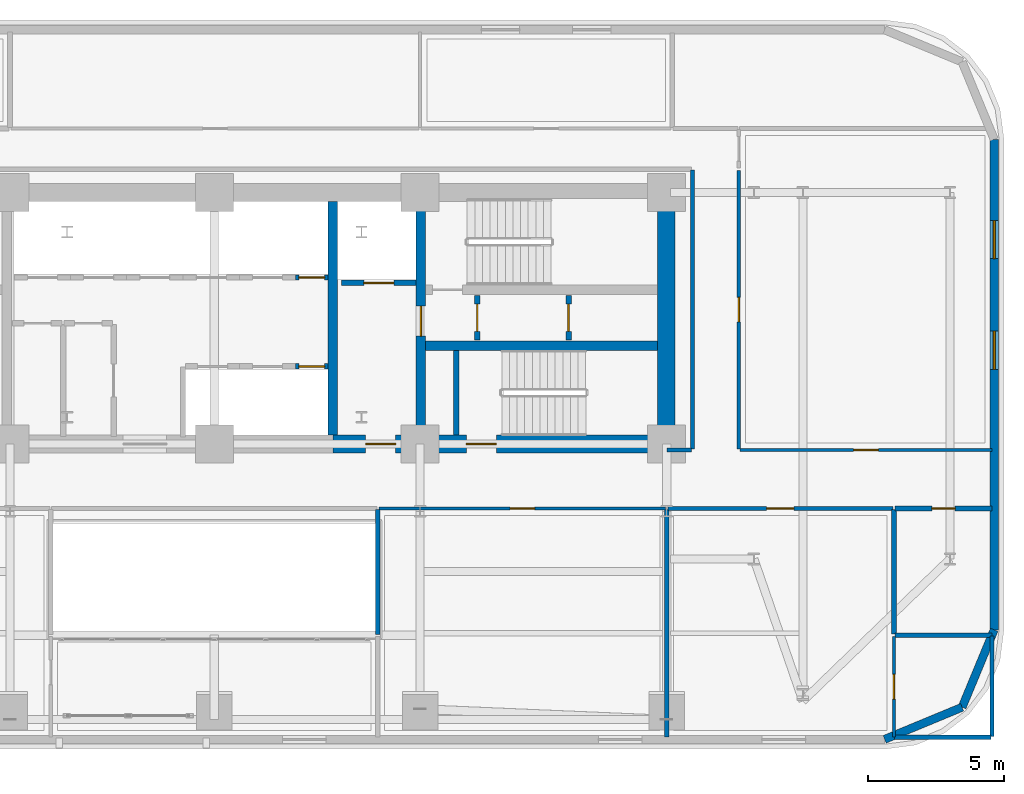
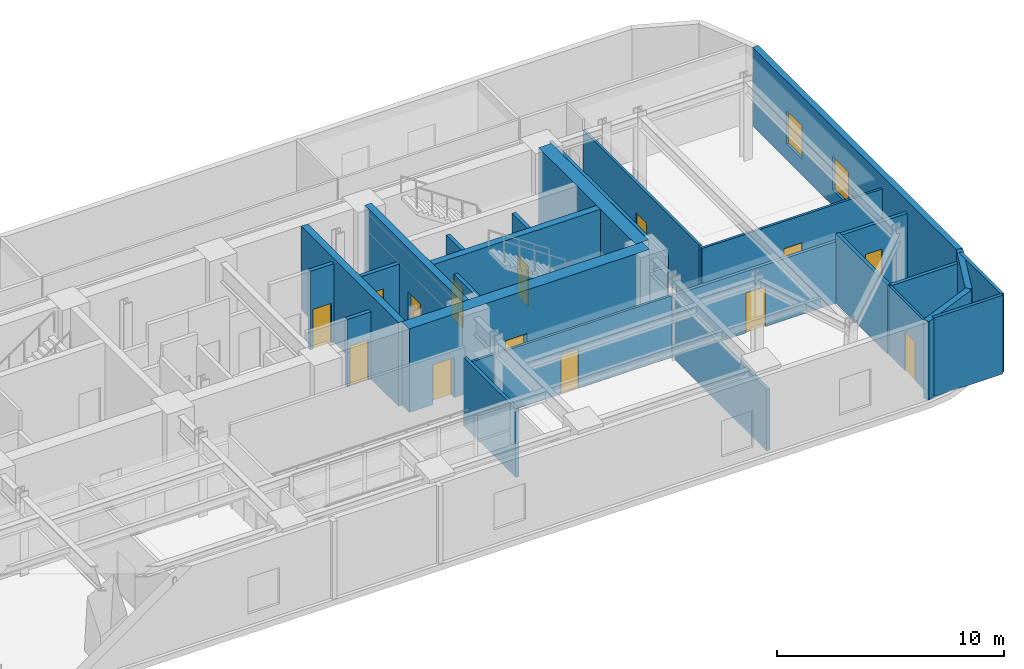
# One storey, part 10 of 14: 28 walls, 14 doors, 2 windows, 16 openings.
"""IFC4 building model written with IfcOpenShell, lengths in metres."""

from ifc_helpers import new_model, si_unit, direction, frame, frame_2d, origin, place, context, subcontext, project, spatial, rectangle, extrude, material, layer, layer_set, type_object, element, fill, save


model = new_model("IFC4")

# Units and contexts
model_context = context("Model", 3, precision=1e-05, world=origin(), true_north=direction((0.0, 1.0)))
body_context = subcontext(model_context, "Body", "Model", "MODEL_VIEW")
ifc_project = project(units=[si_unit("LENGTHUNIT", "METRE"), si_unit("AREAUNIT", "SQUARE_METRE"), si_unit("VOLUMEUNIT", "CUBIC_METRE"), si_unit("PLANEANGLEUNIT", "RADIAN"), si_unit("MASSUNIT", "GRAM", prefix="KILO")], contexts=[model_context])

# Site, building, storey
site_placement = place(None, origin())
site = spatial("IfcSite", under=ifc_project, at=site_placement, CompositionType="ELEMENT")
building_placement = place(site_placement, origin())
building = spatial("IfcBuilding", under=site, at=building_placement, Name="Zarnavel Station Tower", CompositionType="ELEMENT")
storey_placement = place(building_placement, frame((0.0, 0.0, 89.800048828125)))
storey = spatial("IfcBuildingStorey", under=building, at=storey_placement, Name="L24", CompositionType="ELEMENT", Elevation=89.800048828125)

# Wall
ifc_material_1 = material(Name="Concrete C50/60", Category="concrete")
ifc_layer_1 = layer(ifc_material_1, 0.35009765625)
ifc_layer_set_1 = layer_set([ifc_layer_1], Name="CW_350")
wall_type_1 = type_object("IfcWallType", Name="CW_350", PredefinedType="SHEAR", material=ifc_layer_set_1)
wall_1_placement = place(storey_placement, frame((33.14990234375, 28.14501953125, 0.0), z_axis=(0.0, 0.0, 1.0), x_axis=(0.0, 1.0, 0.0)))
element("IfcWall", 1, at=wall_1_placement, inside=storey, type_object=wall_type_1, Name="L24 Rear Core Shear Wall DIV-E", PredefinedType="SHEAR", context=body_context, shape_type="SweptSolid", body=[
    extrude(rectangle(XDim=8.580078125, YDim=0.35009765625, at=frame_2d((4.2900390625, 0.0))), origin(), (0.0, 0.0, 1.0), 4.5),
])

# Wall, opening, door
wall_2_placement = place(storey_placement, frame((36.3798828125, 28.14501953125, 0.0), z_axis=(0.0, 0.0, 1.0), x_axis=(0.0, 1.0, 0.0)))
wall_2 = element("IfcWall", 2, at=wall_2_placement, inside=storey, type_object=wall_type_1, Name="L24 Rear Core Shear Wall DIV-S2", PredefinedType="SHEAR", context=body_context, shape_type="SweptSolid", body=[
    extrude(rectangle(XDim=8.580078125, YDim=0.35009765625, at=frame_2d((4.2900390625, 0.0))), origin(), (0.0, 0.0, 1.0), 4.5),
])
opening_1_placement = place(wall_2_placement, frame((3.635009765625, 0.0, 0.0)))
opening_1 = element("IfcOpeningElement", 3, at=opening_1_placement, cuts=wall_2, Name="Opening FD01", PredefinedType="OPENING", context=body_context, shape_type="SweptSolid", body=[
    extrude(rectangle(XDim=1.10009765625, YDim=2.14990234375, at=frame_2d((0.550048828125, 1.074951171875))), frame((0.0, 0.18505859375, 0.0), z_axis=(0.0, -1.0, 0.0), x_axis=(1.0, 0.0, 0.0)), (0.0, 0.0, 1.0), 0.3701171875),
])
ifc_material_2 = material(Name="Painted Galvanised Steel and Hardwood Leaf", Category="steel")
door_type_1 = type_object("IfcDoorType", Name="ID_STAIR_1100", OperationType="NOTDEFINED", PredefinedType="DOOR", material=ifc_material_2)
door_1_placement = place(opening_1_placement, origin())
door_1 = element("IfcDoor", 4, at=door_1_placement, inside=storey, type_object=door_type_1, Name="L24 East Stair Vestibule Fire Door", OperationType="SINGLE_SWING_LEFT", OverallHeight=2.14990234375, OverallWidth=1.10009765625, PredefinedType="DOOR", context=body_context, shape_type="SweptSolid", body=[
    extrude(rectangle(XDim=1.10009765625, YDim=2.14990234375, at=frame_2d((0.550048828125, 1.074951171875))), frame((0.0, 0.02490234375, 0.0), z_axis=(0.0, -1.0, 0.0), x_axis=(1.0, 0.0, 0.0)), (0.0, 0.0, 1.0), 0.050048828125),
])
fill(opening_1, door_1)

# Wall
wall_3_placement = place(storey_placement, frame((36.554931640625, 31.419921875, 0.0), z_axis=(0.0, 0.0, 1.0), x_axis=(1.0, 0.0, 0.0)))
element("IfcWall", 5, at=wall_3_placement, inside=storey, type_object=wall_type_1, Name="L24 Rear Core Shear Wall DIV-H3", PredefinedType="SHEAR", context=body_context, shape_type="SweptSolid", body=[
    extrude(rectangle(XDim=8.5, YDim=0.35009765625, at=frame_2d((4.25, 0.0))), origin(), (0.0, 0.0, 1.0), 4.5),
])

# Wall, openings, doors
ifc_material_3 = material(Name="Concrete C60/75", Category="concrete")
ifc_layer_2 = layer(ifc_material_3, 0.64990234375)
ifc_layer_set_2 = layer_set([ifc_layer_2], Name="CW_650")
wall_type_2 = type_object("IfcWallType", Name="CW_650", PredefinedType="SHEAR", material=ifc_layer_set_2)
wall_4_placement = place(storey_placement, frame((45.3798828125, 27.820068359375, 0.0), z_axis=(0.0, 0.0, 1.0), x_axis=(-1.0, 0.0, 0.0)))
wall_4 = element("IfcWall", 6, at=wall_4_placement, inside=storey, type_object=wall_type_2, Name="L24 Rear Core Shear Wall S-E", PredefinedType="SHEAR", context=body_context, shape_type="SweptSolid", body=[
    extrude(rectangle(XDim=12.22998046875, YDim=0.64990234375, at=frame_2d((6.114990234375, 0.0))), origin(), (0.0, 0.0, 1.0), 4.5),
])
opening_2_placement = place(wall_4_placement, frame((9.929931640625, 0.0, 0.0)))
opening_2 = element("IfcOpeningElement", 7, at=opening_2_placement, cuts=wall_4, Name="Opening FD01", PredefinedType="OPENING", context=body_context, shape_type="SweptSolid", body=[
    extrude(rectangle(XDim=1.10009765625, YDim=2.14990234375, at=frame_2d((0.550048828125, 1.074951171875))), frame((0.0, 0.3349609375, 0.0), z_axis=(0.0, -1.0, 0.0), x_axis=(1.0, 0.0, 0.0)), (0.0, 0.0, 1.0), 0.669921875),
])
opening_3_placement = place(wall_4_placement, frame((6.22998046875, 0.0, 0.0)))
opening_3 = element("IfcOpeningElement", 8, at=opening_3_placement, cuts=wall_4, Name="Opening FD01", PredefinedType="OPENING", context=body_context, shape_type="SweptSolid", body=[
    extrude(rectangle(XDim=1.10009765625, YDim=2.14990234375, at=frame_2d((0.550048828125, 1.074951171875))), frame((0.0, 0.3349609375, 0.0), z_axis=(0.0, -1.0, 0.0), x_axis=(1.0, 0.0, 0.0)), (0.0, 0.0, 1.0), 0.669921875),
])
door_2_placement = place(opening_2_placement, origin())
door_2 = element("IfcDoor", 9, at=door_2_placement, inside=storey, type_object=door_type_1, Name="L24 East Firefighting Lobby Door", OperationType="SINGLE_SWING_LEFT", OverallHeight=2.14990234375, OverallWidth=1.10009765625, PredefinedType="DOOR", context=body_context, shape_type="SweptSolid", body=[
    extrude(rectangle(XDim=1.10009765625, YDim=2.14990234375, at=frame_2d((0.550048828125, 1.074951171875))), frame((0.0, 0.02490234375, 0.0), z_axis=(0.0, -1.0, 0.0), x_axis=(1.0, 0.0, 0.0)), (0.0, 0.0, 1.0), 0.050048828125),
])
fill(opening_2, door_2)
door_3_placement = place(opening_3_placement, origin())
door_3 = element("IfcDoor", 10, at=door_3_placement, inside=storey, type_object=door_type_1, Name="L24 Stair ST3 Corridor Fire Door", OperationType="SINGLE_SWING_RIGHT", OverallHeight=2.14990234375, OverallWidth=1.10009765625, PredefinedType="DOOR", context=body_context, shape_type="SweptSolid", body=[
    extrude(rectangle(XDim=1.10009765625, YDim=2.14990234375, at=frame_2d((0.550048828125, 1.074951171875))), frame((0.0, 0.02490234375, 0.0), z_axis=(0.0, -1.0, 0.0), x_axis=(1.0, 0.0, 0.0)), (0.0, 0.0, 1.0), 0.050048828125),
])
fill(opening_3, door_3)

# Walls
wall_5_placement = place(storey_placement, frame((45.3798828125, 28.14501953125, 0.0), z_axis=(0.0, 0.0, 1.0), x_axis=(0.0, 1.0, 0.0)))
element("IfcWall", 11, at=wall_5_placement, inside=storey, type_object=wall_type_2, Name="L24 Rear Core Shear Wall E", PredefinedType="SHEAR", context=body_context, shape_type="SweptSolid", body=[
    extrude(rectangle(XDim=8.580078125, YDim=0.64990234375, at=frame_2d((4.2900390625, 0.0))), origin(), (0.0, 0.0, 1.0), 4.5),
])
ifc_material_4 = material(Name="Precast concrete C45/55 (Dark Basalt Finish)", Category="masonry")
ifc_layer_3 = layer(ifc_material_4, 0.300048828125)
ifc_layer_set_3 = layer_set([ifc_layer_3], Name="EW_BASALT_300")
wall_type_3 = type_object("IfcWallType", Name="EW_BASALT_300", PredefinedType="SOLIDWALL", material=ifc_layer_set_3)
wall_6_placement = place(storey_placement, frame((56.24267578125, 18.157470703125, 0.0), z_axis=(0.0, 0.0, 1.0), x_axis=(-0.923882414032, -0.382676475685, 0.0)))
element("IfcWall", 12, at=wall_6_placement, inside=storey, type_object=wall_type_3, Name="L24 Exterior Basalt Masonry Frame Wall 01", PredefinedType="SOLIDWALL", context=body_context, shape_type="SweptSolid", body=[
    extrude(rectangle(XDim=3.076904296875, YDim=0.300048828125, at=frame_2d((1.53857421875, 0.0))), origin(), (0.0, 0.0, 1.0), 4.239990234375),
])
wall_7_placement = place(storey_placement, frame((57.419921875, 21.0, 0.0), z_axis=(0.0, 0.0, 1.0), x_axis=(-0.382636798336, -0.92389884758, 0.0)))
element("IfcWall", 13, at=wall_7_placement, inside=storey, type_object=wall_type_3, Name="L24 Exterior Basalt Masonry Frame Wall 02", PredefinedType="SOLIDWALL", context=body_context, shape_type="SweptSolid", body=[
    extrude(rectangle(XDim=3.07666015625, YDim=0.300048828125, at=frame_2d((1.538330078125, 0.0))), origin(), (0.0, 0.0, 1.0), 4.239990234375),
])

# Wall, openings, windows
wall_8_placement = place(storey_placement, frame((57.419921875, 39.0, 0.0), z_axis=(0.0, 0.0, 1.0), x_axis=(0.0, -1.0, 0.0)))
wall_8 = element("IfcWall", 14, at=wall_8_placement, inside=storey, type_object=wall_type_3, Name="L24 Exterior Basalt Masonry Frame Wall 03", PredefinedType="SOLIDWALL", context=body_context, shape_type="SweptSolid", body=[
    extrude(rectangle(XDim=18.0, YDim=0.300048828125, at=frame_2d((9.0, 0.0))), origin(), (0.0, 0.0, 1.0), 4.239990234375),
])
opening_4_placement = place(wall_8_placement, frame((2.97998046875, 0.0, 0.85009765625)))
opening_4 = element("IfcOpeningElement", 15, at=opening_4_placement, cuts=wall_8, Name="Opening WN01", PredefinedType="OPENING", context=body_context, shape_type="SweptSolid", body=[
    extrude(rectangle(XDim=1.39990234375, YDim=1.800048828125, at=frame_2d((0.699951171875, 0.89990234375))), frame((0.0, 0.159912109375, 0.0), z_axis=(0.0, -1.0, 0.0), x_axis=(1.0, 0.0, 0.0)), (0.0, 0.0, 1.0), 0.320068359375),
])
opening_5_placement = place(wall_8_placement, frame((7.0400390625, 0.0, 0.85009765625)))
opening_5 = element("IfcOpeningElement", 16, at=opening_5_placement, cuts=wall_8, Name="Opening WN01", PredefinedType="OPENING", context=body_context, shape_type="SweptSolid", body=[
    extrude(rectangle(XDim=1.39990234375, YDim=1.800048828125, at=frame_2d((0.699951171875, 0.89990234375))), frame((0.0, 0.159912109375, 0.0), z_axis=(0.0, -1.0, 0.0), x_axis=(1.0, 0.0, 0.0)), (0.0, 0.0, 1.0), 0.320068359375),
])
ifc_material_5 = material(Name="Thermally Broken Black Aluminium and Low-E Dark Glass", Category="aluminium")
window_type = type_object("IfcWindowType", Name="WN_1400x1800", PartitioningType="DOUBLE_PANEL_VERTICAL", PredefinedType="WINDOW", material=ifc_material_5)
window_1_placement = place(opening_4_placement, origin())
window_1 = element("IfcWindow", 17, at=window_1_placement, inside=storey, type_object=window_type, Name="L24 Recessed Facade Window 01", OverallHeight=1.800048828125, OverallWidth=1.39990234375, PartitioningType="SINGLE_PANEL", PredefinedType="WINDOW", context=body_context, shape_type="SweptSolid", body=[
    extrude(rectangle(XDim=1.39990234375, YDim=1.800048828125, at=frame_2d((0.699951171875, 0.89990234375))), frame((0.0, 0.030029296875, 0.0), z_axis=(0.0, -1.0, 0.0), x_axis=(1.0, 0.0, 0.0)), (0.0, 0.0, 1.0), 0.06005859375),
])
fill(opening_4, window_1)
window_2_placement = place(opening_5_placement, origin())
window_2 = element("IfcWindow", 18, at=window_2_placement, inside=storey, type_object=window_type, Name="L24 Recessed Facade Window 02", OverallHeight=1.800048828125, OverallWidth=1.39990234375, PartitioningType="SINGLE_PANEL", PredefinedType="WINDOW", context=body_context, shape_type="SweptSolid", body=[
    extrude(rectangle(XDim=1.39990234375, YDim=1.800048828125, at=frame_2d((0.699951171875, 0.89990234375))), frame((0.0, 0.030029296875, 0.0), z_axis=(0.0, -1.0, 0.0), x_axis=(1.0, 0.0, 0.0)), (0.0, 0.0, 1.0), 0.06005859375),
])
fill(opening_5, window_2)

# Wall, opening, door
ifc_material_6 = material(Name="Gypsum Twin-Stud Acoustic Fire Partition", Category="concrete")
ifc_layer_4 = layer(ifc_material_6, 0.159912109375)
ifc_layer_set_4 = layer_set([ifc_layer_4], Name="PT_DEMISE_160")
wall_type_4 = type_object("IfcWallType", Name="PT_DEMISE_160", PredefinedType="PARTITIONING", material=ifc_layer_set_4)
wall_9_placement = place(storey_placement, frame((45.43994140625, 25.449951171875, 0.0), z_axis=(0.0, 0.0, 1.0), x_axis=(1.0, 0.0, 0.0)))
wall_9 = element("IfcWall", 19, at=wall_9_placement, inside=storey, type_object=wall_type_4, Name="L24 Partition SLCOR-S-SLCON", PredefinedType="PARTITIONING", context=body_context, shape_type="SweptSolid", body=[
    extrude(rectangle(XDim=8.260009765625, YDim=0.159912109375, at=frame_2d((4.1298828125, 0.0))), origin(), (0.0, 0.0, 1.0), 3.31005859375),
])
opening_6_placement = place(wall_9_placement, frame((3.6298828125, 0.0, 0.0)))
opening_6 = element("IfcOpeningElement", 20, at=opening_6_placement, cuts=wall_9, Name="Opening FD02", PredefinedType="OPENING", context=body_context, shape_type="SweptSolid", body=[
    extrude(rectangle(XDim=1.0, YDim=2.14990234375, at=frame_2d((0.5, 1.074951171875))), frame((0.0, 0.08984375, 0.0), z_axis=(0.0, -1.0, 0.0), x_axis=(1.0, 0.0, 0.0)), (0.0, 0.0, 1.0), 0.179931640625),
])
ifc_material_7 = material(Name="Painted Galvanised Steel and Hardwood Leaf", Category="steel")
door_type_2 = type_object("IfcDoorType", Name="ID_ENTRY_1000", OperationType="NOTDEFINED", PredefinedType="DOOR", material=ifc_material_7)
door_4_placement = place(opening_6_placement, origin())
door_4 = element("IfcDoor", 21, at=door_4_placement, inside=storey, type_object=door_type_2, Name="L24 Door SLCOR-S-SLCON", OperationType="SINGLE_SWING_RIGHT", OverallHeight=2.14990234375, OverallWidth=1.0, PredefinedType="DOOR", context=body_context, shape_type="SweptSolid", body=[
    extrude(rectangle(XDim=1.0, YDim=2.14990234375, at=frame_2d((0.5, 1.074951171875))), frame((0.0, 0.02490234375, 0.0), z_axis=(0.0, -1.0, 0.0), x_axis=(1.0, 0.0, 0.0)), (0.0, 0.0, 1.0), 0.050048828125),
])
fill(opening_6, door_4)

# Walls
wall_10_placement = place(storey_placement, frame((45.39990234375, 17.06005859375, 0.0), z_axis=(0.0, 0.0, 1.0), x_axis=(0.0, 1.0, 0.0)))
element("IfcWall", 22, at=wall_10_placement, inside=storey, type_object=wall_type_4, Name="L24 Partition SLSAL-SLCON", PredefinedType="PARTITIONING", context=body_context, shape_type="SweptSolid", body=[
    extrude(rectangle(XDim=8.349853515625, YDim=0.159912109375, at=frame_2d((4.1748046875, 0.0))), origin(), (0.0, 0.0, 1.0), 3.31005859375),
])
wall_11_placement = place(storey_placement, frame((45.409912109375, 27.60009765625, 0.0), z_axis=(0.0, 0.0, 1.0), x_axis=(1.0, 0.0, 0.0)))
element("IfcWall", 23, at=wall_11_placement, inside=storey, type_object=wall_type_4, Name="L24 Enclosure Wall SLCOR-S", PredefinedType="PARTITIONING", context=body_context, shape_type="SweptSolid", body=[
    extrude(rectangle(XDim=0.91015625, YDim=0.159912109375, at=frame_2d((0.455078125, 0.0))), origin(), (0.0, 0.0, 1.0), 3.2119140625),
])
wall_12_placement = place(storey_placement, frame((46.35009765625, 27.6298828125, 0.0), z_axis=(0.0, 0.0, 1.0), x_axis=(0.0, 1.0, 0.0)))
element("IfcWall", 24, at=wall_12_placement, inside=storey, type_object=wall_type_4, Name="L24 Enclosure Wall SLCOR-E", PredefinedType="PARTITIONING", context=body_context, shape_type="SweptSolid", body=[
    extrude(rectangle(XDim=10.240234375, YDim=0.159912109375, at=frame_2d((5.1201171875, 0.0))), origin(), (0.0, 0.0, 1.0), 3.719970703125),
])
wall_13_placement = place(storey_placement, frame((34.800048828125, 20.830078125, 0.0), z_axis=(0.0, 0.0, 1.0), x_axis=(0.0, 1.0, 0.0)))
element("IfcWall", 25, at=wall_13_placement, inside=storey, type_object=wall_type_4, Name="L24 Enclosure Wall SLSAL", PredefinedType="PARTITIONING", context=body_context, shape_type="SweptSolid", body=[
    extrude(rectangle(XDim=4.58984375, YDim=0.159912109375, at=frame_2d((2.294921875, 0.0))), origin(), (0.0, 0.0, 1.0), 3.679931640625),
])
wall_14_placement = place(storey_placement, frame((53.77001953125, 17.06005859375, 0.0), z_axis=(0.0, 0.0, 1.0), x_axis=(1.0, 0.0, 0.0)))
element("IfcWall", 26, at=wall_14_placement, inside=storey, type_object=wall_type_4, Name="L24 Enclosure Wall SLSTR", PredefinedType="PARTITIONING", context=body_context, shape_type="SweptSolid", body=[
    extrude(rectangle(XDim=3.5400390625, YDim=0.159912109375, at=frame_2d((1.77001953125, 0.0))), origin(), (0.0, 0.0, 1.0), 4.239990234375),
])
wall_15_placement = place(storey_placement, frame((57.340087890625, 17.090087890625, 0.0), z_axis=(0.0, 0.0, 1.0), x_axis=(0.0, 1.0, 0.0)))
element("IfcWall", 27, at=wall_15_placement, inside=storey, type_object=wall_type_4, Name="L24 Enclosure Wall SLSTR", PredefinedType="PARTITIONING", context=body_context, shape_type="SweptSolid", body=[
    extrude(rectangle(XDim=3.679931640625, YDim=0.159912109375, at=frame_2d((1.83984375, 0.0))), origin(), (0.0, 0.0, 1.0), 4.239990234375),
])

# Wall, opening, door
ifc_material_8 = material(Name="Gypsum Metal-Stud Interior Partition", Category="concrete")
ifc_layer_5 = layer(ifc_material_8, 0.1201171875)
ifc_layer_set_5 = layer_set([ifc_layer_5], Name="PT_ROOM_120")
wall_type_5 = type_object("IfcWallType", Name="PT_ROOM_120", PredefinedType="PARTITIONING", material=ifc_layer_set_5)
wall_16_placement = place(storey_placement, frame((34.840087890625, 25.449951171875, 0.0), z_axis=(0.0, 0.0, 1.0), x_axis=(1.0, 0.0, 0.0)))
wall_16 = element("IfcWall", 28, at=wall_16_placement, inside=storey, type_object=wall_type_5, Name="L24 Partition SLCOR-S-SLSAL", PredefinedType="PARTITIONING", context=body_context, shape_type="SweptSolid", body=[
    extrude(rectangle(XDim=10.52001953125, YDim=0.1201171875, at=frame_2d((5.260009765625, 0.0))), origin(), (0.0, 0.0, 1.0), 3.31005859375),
])
opening_7_placement = place(wall_16_placement, frame((4.81005859375, 0.0, 0.0)))
opening_7 = element("IfcOpeningElement", 29, at=opening_7_placement, cuts=wall_16, Name="Opening ID01", PredefinedType="OPENING", context=body_context, shape_type="SweptSolid", body=[
    extrude(rectangle(XDim=0.89990234375, YDim=2.10009765625, at=frame_2d((0.449951171875, 1.050048828125))), frame((0.0, 0.070068359375, 0.0), z_axis=(0.0, -1.0, 0.0), x_axis=(1.0, 0.0, 0.0)), (0.0, 0.0, 1.0), 0.14013671875),
])
ifc_material_9 = material(Name="Painted Galvanised Steel and Hardwood Leaf", Category="steel")
door_type_3 = type_object("IfcDoorType", Name="ID_ROOM_900", OperationType="NOTDEFINED", PredefinedType="DOOR", material=ifc_material_9)
door_5_placement = place(opening_7_placement, origin())
door_5 = element("IfcDoor", 30, at=door_5_placement, inside=storey, type_object=door_type_3, Name="L24 Door SLCOR-S-SLSAL", OperationType="SINGLE_SWING_LEFT", OverallHeight=2.10009765625, OverallWidth=0.89990234375, PredefinedType="DOOR", context=body_context, shape_type="SweptSolid", body=[
    extrude(rectangle(XDim=0.89990234375, YDim=2.10009765625, at=frame_2d((0.449951171875, 1.050048828125))), frame((0.0, 0.02490234375, 0.0), z_axis=(0.0, -1.0, 0.0), x_axis=(1.0, 0.0, 0.0)), (0.0, 0.0, 1.0), 0.050048828125),
])
fill(opening_7, door_5)

wall_17_placement = place(storey_placement, frame((48.090087890625, 27.60009765625, 0.0), z_axis=(0.0, 0.0, 1.0), x_axis=(1.0, 0.0, 0.0)))
wall_17 = element("IfcWall", 31, at=wall_17_placement, inside=storey, type_object=wall_type_5, Name="L24 Partition SLCOR-S-SLNE", PredefinedType="PARTITIONING", context=body_context, shape_type="SweptSolid", body=[
    extrude(rectangle(XDim=9.25, YDim=0.1201171875, at=frame_2d((4.625, 0.0))), origin(), (0.0, 0.0, 1.0), 3.570068359375),
])
opening_8_placement = place(wall_17_placement, frame((4.175048828125, 0.0, 0.0)))
opening_8 = element("IfcOpeningElement", 32, at=opening_8_placement, cuts=wall_17, Name="Opening ID01", PredefinedType="OPENING", context=body_context, shape_type="SweptSolid", body=[
    extrude(rectangle(XDim=0.89990234375, YDim=2.10009765625, at=frame_2d((0.449951171875, 1.050048828125))), frame((0.0, 0.070068359375, 0.0), z_axis=(0.0, -1.0, 0.0), x_axis=(1.0, 0.0, 0.0)), (0.0, 0.0, 1.0), 0.14013671875),
])
door_6_placement = place(opening_8_placement, origin())
door_6 = element("IfcDoor", 33, at=door_6_placement, inside=storey, type_object=door_type_3, Name="L24 Door SLCOR-S-SLNE", OperationType="SINGLE_SWING_LEFT", OverallHeight=2.10009765625, OverallWidth=0.89990234375, PredefinedType="DOOR", context=body_context, shape_type="SweptSolid", body=[
    extrude(rectangle(XDim=0.89990234375, YDim=2.10009765625, at=frame_2d((0.449951171875, 1.050048828125))), frame((0.0, 0.02490234375, 0.0), z_axis=(0.0, -1.0, 0.0), x_axis=(1.0, 0.0, 0.0)), (0.0, 0.0, 1.0), 0.050048828125),
])
fill(opening_8, door_6)

wall_18_placement = place(storey_placement, frame((48.050048828125, 27.639892578125, 0.0), z_axis=(0.0, 0.0, 1.0), x_axis=(0.0, 1.0, 0.0)))
wall_18 = element("IfcWall", 34, at=wall_18_placement, inside=storey, type_object=wall_type_5, Name="L24 Partition SLCOR-E-SLNE", PredefinedType="PARTITIONING", context=body_context, shape_type="SweptSolid", body=[
    extrude(rectangle(XDim=10.22021484375, YDim=0.1201171875, at=frame_2d((5.110107421875, 0.0))), origin(), (0.0, 0.0, 1.0), 3.719970703125),
])
opening_9_placement = place(wall_18_placement, frame((4.659912109375, 0.0, 0.0)))
opening_9 = element("IfcOpeningElement", 35, at=opening_9_placement, cuts=wall_18, Name="Opening ID01", PredefinedType="OPENING", context=body_context, shape_type="SweptSolid", body=[
    extrude(rectangle(XDim=0.89990234375, YDim=2.10009765625, at=frame_2d((0.449951171875, 1.050048828125))), frame((0.0, 0.070068359375, 0.0), z_axis=(0.0, -1.0, 0.0), x_axis=(1.0, 0.0, 0.0)), (0.0, 0.0, 1.0), 0.14013671875),
])
door_7_placement = place(opening_9_placement, origin())
door_7 = element("IfcDoor", 36, at=door_7_placement, inside=storey, type_object=door_type_3, Name="L24 Door SLCOR-E-SLNE", OperationType="SINGLE_SWING_LEFT", OverallHeight=2.10009765625, OverallWidth=0.89990234375, PredefinedType="DOOR", context=body_context, shape_type="SweptSolid", body=[
    extrude(rectangle(XDim=0.89990234375, YDim=2.10009765625, at=frame_2d((0.449951171875, 1.050048828125))), frame((0.0, 0.02490234375, 0.0), z_axis=(0.0, -1.0, 0.0), x_axis=(1.0, 0.0, 0.0)), (0.0, 0.0, 1.0), 0.050048828125),
])
fill(opening_9, door_7)

wall_19_placement = place(storey_placement, frame((53.739990234375, 17.06005859375, 0.0), z_axis=(0.0, 0.0, 1.0), x_axis=(0.0, 1.0, 0.0)))
wall_19 = element("IfcWall", 37, at=wall_19_placement, inside=storey, type_object=wall_type_5, Name="L24 Partition SLCON-SLSTR", PredefinedType="PARTITIONING", context=body_context, shape_type="SweptSolid", body=[
    extrude(rectangle(XDim=3.699951171875, YDim=0.1201171875, at=frame_2d((1.85009765625, 0.0))), origin(), (0.0, 0.0, 1.0), 3.719970703125),
])
opening_10_placement = place(wall_19_placement, frame((1.39990234375, 0.0, 0.0)))
opening_10 = element("IfcOpeningElement", 38, at=opening_10_placement, cuts=wall_19, Name="Opening ID01", PredefinedType="OPENING", context=body_context, shape_type="SweptSolid", body=[
    extrude(rectangle(XDim=0.89990234375, YDim=2.10009765625, at=frame_2d((0.449951171875, 1.050048828125))), frame((0.0, 0.070068359375, 0.0), z_axis=(0.0, -1.0, 0.0), x_axis=(1.0, 0.0, 0.0)), (0.0, 0.0, 1.0), 0.14013671875),
])
door_8_placement = place(opening_10_placement, origin())
door_8 = element("IfcDoor", 39, at=door_8_placement, inside=storey, type_object=door_type_3, Name="L24 Door SLCON-SLSTR", OperationType="SINGLE_SWING_LEFT", OverallHeight=2.10009765625, OverallWidth=0.89990234375, PredefinedType="DOOR", context=body_context, shape_type="SweptSolid", body=[
    extrude(rectangle(XDim=0.89990234375, YDim=2.10009765625, at=frame_2d((0.449951171875, 1.050048828125))), frame((0.0, 0.02490234375, 0.0), z_axis=(0.0, -1.0, 0.0), x_axis=(1.0, 0.0, 0.0)), (0.0, 0.0, 1.0), 0.050048828125),
])
fill(opening_10, door_8)

ifc_material_10 = material(Name="Precast concrete C45/55 (Fire Shaft Blockwork)", Category="masonry")
ifc_layer_6 = layer(ifc_material_10, 0.199951171875)
ifc_layer_set_6 = layer_set([ifc_layer_6], Name="PT_SHAFT_200")
wall_type_6 = type_object("IfcWallType", Name="PT_SHAFT_200", PredefinedType="PARTITIONING", material=ifc_layer_set_6)
wall_20_placement = place(storey_placement, frame((33.47509765625, 33.72998046875, 0.0), z_axis=(0.0, 0.0, 1.0), x_axis=(1.0, 0.0, 0.0)))
wall_20 = element("IfcWall", 40, at=wall_20_placement, inside=storey, type_object=wall_type_6, Name="L24 Lift FFL-02 Shaft Front Wall", PredefinedType="PARTITIONING", context=body_context, shape_type="SweptSolid", body=[
    extrude(rectangle(XDim=2.724853515625, YDim=0.199951171875, at=frame_2d((1.3623046875, 0.0))), origin(), (0.0, 0.0, 1.0), 3.2119140625),
])
opening_11_placement = place(wall_20_placement, frame((0.8125, 0.0, 0.0)))
opening_11 = element("IfcOpeningElement", 41, at=opening_11_placement, cuts=wall_20, Name="Opening LD01", PredefinedType="OPENING", context=body_context, shape_type="SweptSolid", body=[
    extrude(rectangle(XDim=1.10009765625, YDim=2.14990234375, at=frame_2d((0.550048828125, 1.074951171875))), frame((0.0, 0.10986328125, 0.0), z_axis=(0.0, -1.0, 0.0), x_axis=(1.0, 0.0, 0.0)), (0.0, 0.0, 1.0), 0.219970703125),
])
ifc_material_11 = material(Name="Painted Galvanised Steel and Hardwood Leaf", Category="steel")
door_type_4 = type_object("IfcDoorType", Name="LD_FF_1100", OperationType="DOUBLE_DOOR_SLIDING", PredefinedType="DOOR", material=ifc_material_11)
door_9_placement = place(opening_11_placement, origin())
door_9 = element("IfcDoor", 42, at=door_9_placement, inside=storey, type_object=door_type_4, Name="L24 Lift FFL-02 Sliding Landing Door", OperationType="DOUBLE_DOOR_SLIDING", OverallHeight=2.14990234375, OverallWidth=1.10009765625, PredefinedType="DOOR", context=body_context, shape_type="SweptSolid", body=[
    extrude(rectangle(XDim=1.10009765625, YDim=2.14990234375, at=frame_2d((0.550048828125, 1.074951171875))), frame((0.0, 0.02490234375, 0.0), z_axis=(0.0, -1.0, 0.0), x_axis=(1.0, 0.0, 0.0)), (0.0, 0.0, 1.0), 0.050048828125),
])
fill(opening_11, door_9)

wall_21_placement = place(storey_placement, frame((31.77490234375, 30.669921875, 0.0), z_axis=(0.0, 0.0, 1.0), x_axis=(1.0, 0.0, 0.0)))
wall_21 = element("IfcWall", 43, at=wall_21_placement, inside=storey, type_object=wall_type_6, Name="L24 Lift PL-H3 Shaft Front Wall", PredefinedType="PARTITIONING", context=body_context, shape_type="SweptSolid", body=[
    extrude(rectangle(XDim=1.2001953125, YDim=0.199951171875, at=frame_2d((0.60009765625, 0.0))), origin(), (0.0, 0.0, 1.0), 3.619873046875),
])
opening_12_placement = place(wall_21_placement, frame((0.125, 0.0, 0.0)))
opening_12 = element("IfcOpeningElement", 44, at=opening_12_placement, cuts=wall_21, Name="Opening LD03", PredefinedType="OPENING", context=body_context, shape_type="SweptSolid", body=[
    extrude(rectangle(XDim=0.949951171875, YDim=2.14990234375, at=frame_2d((0.47509765625, 1.074951171875))), frame((0.0, 0.10986328125, 0.0), z_axis=(0.0, -1.0, 0.0), x_axis=(1.0, 0.0, 0.0)), (0.0, 0.0, 1.0), 0.219970703125),
])
ifc_material_12 = material(Name="Painted Galvanised Steel and Hardwood Leaf", Category="steel")
door_type_5 = type_object("IfcDoorType", Name="LD_PAX_0950", OperationType="DOUBLE_DOOR_SLIDING", PredefinedType="DOOR", material=ifc_material_12)
door_10_placement = place(opening_12_placement, origin())
door_10 = element("IfcDoor", 45, at=door_10_placement, inside=storey, type_object=door_type_5, Name="L24 Lift PL-H3 Sliding Landing Door", OperationType="DOUBLE_DOOR_SLIDING", OverallHeight=2.14990234375, OverallWidth=0.949951171875, PredefinedType="DOOR", context=body_context, shape_type="SweptSolid", body=[
    extrude(rectangle(XDim=0.949951171875, YDim=2.14990234375, at=frame_2d((0.47509765625, 1.074951171875))), frame((0.0, 0.02490234375, 0.0), z_axis=(0.0, -1.0, 0.0), x_axis=(1.0, 0.0, 0.0)), (0.0, 0.0, 1.0), 0.050048828125),
])
fill(opening_12, door_10)

wall_22_placement = place(storey_placement, frame((31.77490234375, 33.929931640625, 0.0), z_axis=(0.0, 0.0, 1.0), x_axis=(1.0, 0.0, 0.0)))
wall_22 = element("IfcWall", 46, at=wall_22_placement, inside=storey, type_object=wall_type_6, Name="L24 Lift PL-M3 Shaft Front Wall", PredefinedType="PARTITIONING", context=body_context, shape_type="SweptSolid", body=[
    extrude(rectangle(XDim=1.2001953125, YDim=0.199951171875, at=frame_2d((0.60009765625, 0.0))), origin(), (0.0, 0.0, 1.0), 4.239990234375),
])
opening_13_placement = place(wall_22_placement, frame((0.125, 0.0, 0.0)))
opening_13 = element("IfcOpeningElement", 47, at=opening_13_placement, cuts=wall_22, Name="Opening LD03", PredefinedType="OPENING", context=body_context, shape_type="SweptSolid", body=[
    extrude(rectangle(XDim=0.949951171875, YDim=2.14990234375, at=frame_2d((0.47509765625, 1.074951171875))), frame((0.0, 0.10986328125, 0.0), z_axis=(0.0, -1.0, 0.0), x_axis=(1.0, 0.0, 0.0)), (0.0, 0.0, 1.0), 0.219970703125),
])
door_11_placement = place(opening_13_placement, origin())
door_11 = element("IfcDoor", 48, at=door_11_placement, inside=storey, type_object=door_type_5, Name="L24 Lift PL-M3 Sliding Landing Door", OperationType="DOUBLE_DOOR_SLIDING", OverallHeight=2.14990234375, OverallWidth=0.949951171875, PredefinedType="DOOR", context=body_context, shape_type="SweptSolid", body=[
    extrude(rectangle(XDim=0.949951171875, YDim=2.14990234375, at=frame_2d((0.47509765625, 1.074951171875))), frame((0.0, 0.02490234375, 0.0), z_axis=(0.0, -1.0, 0.0), x_axis=(1.0, 0.0, 0.0)), (0.0, 0.0, 1.0), 0.050048828125),
])
fill(opening_13, door_11)

# Wall
wall_23_placement = place(storey_placement, frame((37.679931640625, 28.14501953125, 0.0), z_axis=(0.0, 0.0, 1.0), x_axis=(0.0, 1.0, 0.0)))
element("IfcWall", 49, at=wall_23_placement, inside=storey, type_object=wall_type_6, Name="L24 Stair ST3 West Shaft Wall", PredefinedType="PARTITIONING", context=body_context, shape_type="SweptSolid", body=[
    extrude(rectangle(XDim=3.10498046875, YDim=0.199951171875, at=frame_2d((1.552490234375, 0.0))), origin(), (0.0, 0.0, 1.0), 3.619873046875),
])

# Wall, opening, door
wall_24_placement = place(storey_placement, frame((38.449951171875, 31.639892578125, 0.0), z_axis=(0.0, 0.0, 1.0), x_axis=(0.0, 1.0, 0.0)))
wall_24 = element("IfcWall", 50, at=wall_24_placement, inside=storey, type_object=wall_type_6, Name="L24 Partition ESTV-CEA", PredefinedType="PARTITIONING", context=body_context, shape_type="SweptSolid", body=[
    extrude(rectangle(XDim=1.6201171875, YDim=0.199951171875, at=frame_2d((0.81005859375, 0.0))), origin(), (0.0, 0.0, 1.0), 4.239990234375),
])
opening_14_placement = place(wall_24_placement, frame((0.31005859375, 0.0, 0.0)))
opening_14 = element("IfcOpeningElement", 51, at=opening_14_placement, cuts=wall_24, Name="Opening FD02", PredefinedType="OPENING", context=body_context, shape_type="SweptSolid", body=[
    extrude(rectangle(XDim=1.0, YDim=2.14990234375, at=frame_2d((0.5, 1.074951171875))), frame((0.0, 0.10986328125, 0.0), z_axis=(0.0, -1.0, 0.0), x_axis=(1.0, 0.0, 0.0)), (0.0, 0.0, 1.0), 0.219970703125),
])
door_12_placement = place(opening_14_placement, origin())
door_12 = element("IfcDoor", 52, at=door_12_placement, inside=storey, type_object=door_type_2, Name="L24 Door ESTV-CEA", OperationType="SINGLE_SWING_RIGHT", OverallHeight=2.14990234375, OverallWidth=1.0, PredefinedType="DOOR", context=body_context, shape_type="SweptSolid", body=[
    extrude(rectangle(XDim=1.0, YDim=2.14990234375, at=frame_2d((0.5, 1.074951171875))), frame((0.0, 0.02490234375, 0.0), z_axis=(0.0, -1.0, 0.0), x_axis=(1.0, 0.0, 0.0)), (0.0, 0.0, 1.0), 0.050048828125),
])
fill(opening_14, door_12)

wall_25_placement = place(storey_placement, frame((41.800048828125, 31.639892578125, 0.0), z_axis=(0.0, 0.0, 1.0), x_axis=(0.0, 1.0, 0.0)))
wall_25 = element("IfcWall", 53, at=wall_25_placement, inside=storey, type_object=wall_type_6, Name="L24 Partition CEA-CEB", PredefinedType="PARTITIONING", context=body_context, shape_type="SweptSolid", body=[
    extrude(rectangle(XDim=1.6201171875, YDim=0.199951171875, at=frame_2d((0.81005859375, 0.0))), origin(), (0.0, 0.0, 1.0), 4.239990234375),
])
opening_15_placement = place(wall_25_placement, frame((0.31005859375, 0.0, 0.0)))
opening_15 = element("IfcOpeningElement", 54, at=opening_15_placement, cuts=wall_25, Name="Opening FD02", PredefinedType="OPENING", context=body_context, shape_type="SweptSolid", body=[
    extrude(rectangle(XDim=1.0, YDim=2.14990234375, at=frame_2d((0.5, 1.074951171875))), frame((0.0, 0.10986328125, 0.0), z_axis=(0.0, -1.0, 0.0), x_axis=(1.0, 0.0, 0.0)), (0.0, 0.0, 1.0), 0.219970703125),
])
door_13_placement = place(opening_15_placement, origin())
door_13 = element("IfcDoor", 55, at=door_13_placement, inside=storey, type_object=door_type_2, Name="L24 Door CEA-CEB", OperationType="SINGLE_SWING_LEFT", OverallHeight=2.14990234375, OverallWidth=1.0, PredefinedType="DOOR", context=body_context, shape_type="SweptSolid", body=[
    extrude(rectangle(XDim=1.0, YDim=2.14990234375, at=frame_2d((0.5, 1.074951171875))), frame((0.0, 0.02490234375, 0.0), z_axis=(0.0, -1.0, 0.0), x_axis=(1.0, 0.0, 0.0)), (0.0, 0.0, 1.0), 0.050048828125),
])
fill(opening_15, door_13)

ifc_material_13 = material(Name="Moisture-Resistant Plumbing Chase Wall", Category="concrete")
ifc_layer_7 = layer(ifc_material_13, 0.179931640625)
ifc_layer_set_7 = layer_set([ifc_layer_7], Name="PW_PLUMB_180")
wall_type_7 = type_object("IfcWallType", Name="PW_PLUMB_180", PredefinedType="PLUMBINGWALL", material=ifc_layer_set_7)
wall_26_placement = place(storey_placement, frame((53.780029296875, 25.449951171875, 0.0), z_axis=(0.0, 0.0, 1.0), x_axis=(1.0, 0.0, 0.0)))
wall_26 = element("IfcWall", 56, at=wall_26_placement, inside=storey, type_object=wall_type_7, Name="L24 Partition SLCOR-S-SLWCM", PredefinedType="PLUMBINGWALL", context=body_context, shape_type="SweptSolid", body=[
    extrude(rectangle(XDim=3.56005859375, YDim=0.179931640625, at=frame_2d((1.780029296875, 0.0))), origin(), (0.0, 0.0, 1.0), 3.570068359375),
])
opening_16_placement = place(wall_26_placement, frame((1.35498046875, 0.0, 0.0)))
opening_16 = element("IfcOpeningElement", 57, at=opening_16_placement, cuts=wall_26, Name="Opening ID02", PredefinedType="OPENING", context=body_context, shape_type="SweptSolid", body=[
    extrude(rectangle(XDim=0.85009765625, YDim=2.10009765625, at=frame_2d((0.425048828125, 1.050048828125))), frame((0.0, 0.099853515625, 0.0), z_axis=(0.0, -1.0, 0.0), x_axis=(1.0, 0.0, 0.0)), (0.0, 0.0, 1.0), 0.199951171875),
])
ifc_material_14 = material(Name="Painted Galvanised Steel and Hardwood Leaf", Category="steel")
door_type_6 = type_object("IfcDoorType", Name="ID_BATH_850", OperationType="NOTDEFINED", PredefinedType="DOOR", material=ifc_material_14)
door_14_placement = place(opening_16_placement, origin())
door_14 = element("IfcDoor", 58, at=door_14_placement, inside=storey, type_object=door_type_6, Name="L24 Door SLCOR-S-SLWCM", OperationType="SINGLE_SWING_LEFT", OverallHeight=2.10009765625, OverallWidth=0.85009765625, PredefinedType="DOOR", context=body_context, shape_type="SweptSolid", body=[
    extrude(rectangle(XDim=0.85009765625, YDim=2.10009765625, at=frame_2d((0.425048828125, 1.050048828125))), frame((0.0, 0.02490234375, 0.0), z_axis=(0.0, -1.0, 0.0), x_axis=(1.0, 0.0, 0.0)), (0.0, 0.0, 1.0), 0.050048828125),
])
fill(opening_16, door_14)

# Walls
wall_27_placement = place(storey_placement, frame((53.739990234375, 20.840087890625, 0.0), z_axis=(0.0, 0.0, 1.0), x_axis=(0.0, 1.0, 0.0)))
element("IfcWall", 59, at=wall_27_placement, inside=storey, type_object=wall_type_7, Name="L24 Partition SLCON-SLWCM", PredefinedType="PLUMBINGWALL", context=body_context, shape_type="SweptSolid", body=[
    extrude(rectangle(XDim=4.56982421875, YDim=0.179931640625, at=frame_2d((2.284912109375, 0.0))), origin(), (0.0, 0.0, 1.0), 3.719970703125),
])
wall_28_placement = place(storey_placement, frame((53.780029296875, 20.800048828125, 0.0), z_axis=(0.0, 0.0, 1.0), x_axis=(1.0, 0.0, 0.0)))
element("IfcWall", 60, at=wall_28_placement, inside=storey, type_object=wall_type_7, Name="L24 Partition SLSTR-SLWCM", PredefinedType="PLUMBINGWALL", context=body_context, shape_type="SweptSolid", body=[
    extrude(rectangle(XDim=3.56005859375, YDim=0.179931640625, at=frame_2d((1.780029296875, 0.0))), origin(), (0.0, 0.0, 1.0), 3.719970703125),
])

save(model, "model.ifc")
